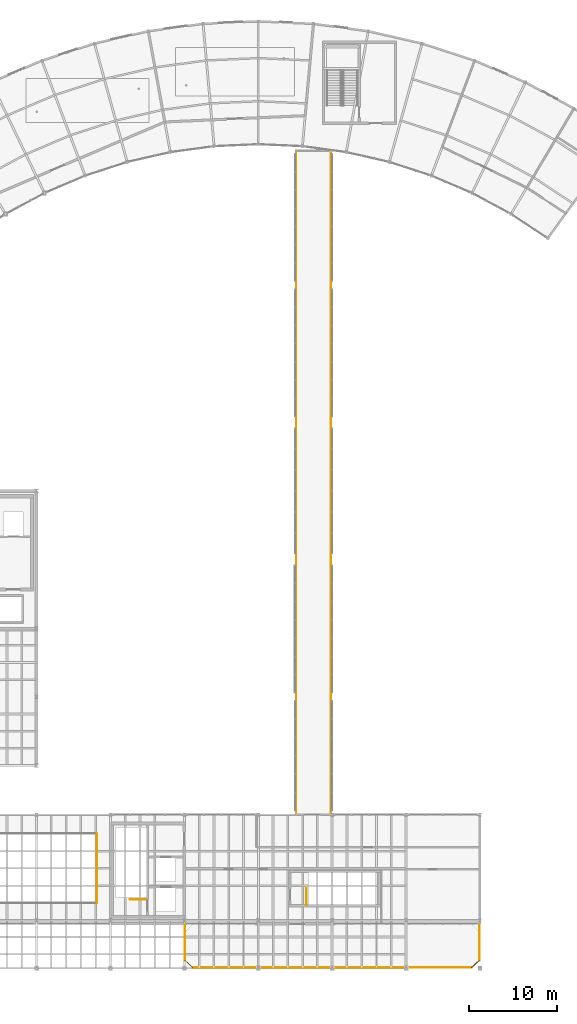
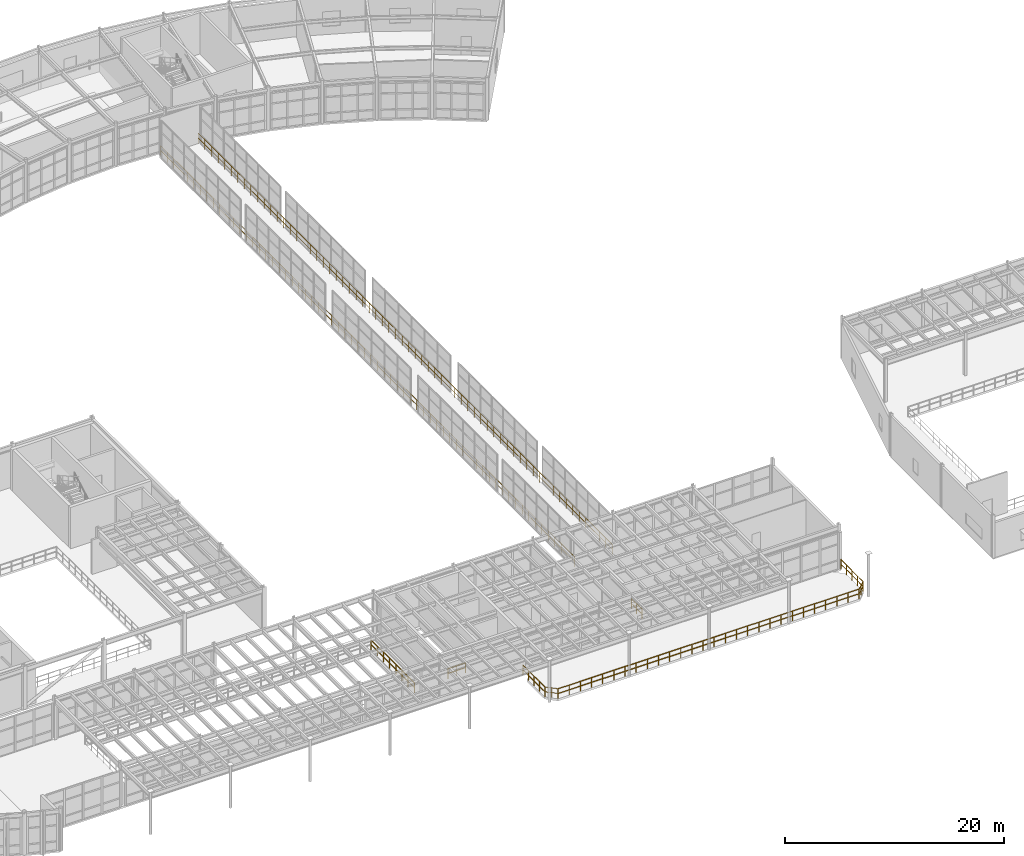
# One storey, part 102 of 105: 10 railings.
"""IFC4 building model written with IfcOpenShell, lengths in metres."""

from ifc_helpers import new_model, si_unit, direction, frame, origin, origin_2d, place, context, subcontext, project, spatial, circle, extrude, material, layer, layer_set, type_object, element, save


model = new_model("IFC4")

# Units and contexts
model_context = context("Model", 3, precision=1e-05, world=origin(), true_north=direction((0.0, 1.0)))
body_context = subcontext(model_context, "Body", "Model", "MODEL_VIEW")
ifc_project = project(units=[si_unit("LENGTHUNIT", "METRE"), si_unit("AREAUNIT", "SQUARE_METRE"), si_unit("VOLUMEUNIT", "CUBIC_METRE"), si_unit("PLANEANGLEUNIT", "RADIAN"), si_unit("MASSUNIT", "GRAM", prefix="KILO")], contexts=[model_context])

# Site, building, storey
site_placement = place(None, origin())
site = spatial("IfcSite", under=ifc_project, at=site_placement, CompositionType="ELEMENT")
building_placement = place(site_placement, origin())
building = spatial("IfcBuilding", under=site, at=building_placement, Name="Selat Folded Stagehouse", CompositionType="ELEMENT")
storey_placement = place(building_placement, frame((0.0, 0.0, 10.199951171875)))
storey = spatial("IfcBuildingStorey", under=building, at=storey_placement, Name="L02", CompositionType="ELEMENT", Elevation=10.199951171875)

# Railings
ifc_material_1 = material(Name="Bronze-anodised steel balustrade", Category="steel")
ifc_layer_1 = layer(ifc_material_1, 0.06494140625)
ifc_layer_set_1 = layer_set([ifc_layer_1], Name="Bronze-anodised steel balustrade")
railing_type_1 = type_object("IfcRailingType", Name="RLG-BAL-1120", PredefinedType="BALUSTRADE", material=ifc_layer_set_1)
railing_1_placement = place(storey_placement, frame((74.050048828125, 7.75, 0.0)))
element("IfcRailing", 1, at=railing_1_placement, inside=storey, type_object=railing_type_1, Name="L02 protective guard railing 039", PredefinedType="BALUSTRADE", context=body_context, shape_type="SweptSolid", body=[
    extrude(circle(Radius=0.02392578125, at=origin_2d()), frame((0.0, 0.0, 1.09619140625), z_axis=(0.0, 1.0, 0.0), x_axis=(-1.0, 0.0, 0.0)), (0.0, 0.0, 1.0), 7.89990234375),
    extrude(circle(Radius=0.02392578125, at=origin_2d()), frame((0.0, 0.0, 0.56005859375), z_axis=(0.0, 1.0, 0.0), x_axis=(-1.0, 0.0, 0.0)), (0.0, 0.0, 1.0), 7.89990234375),
    extrude(circle(Radius=0.02099609375, at=origin_2d()), origin(), (0.0, 0.0, 1.0), 1.072021484375),
    extrude(circle(Radius=0.02099609375, at=origin_2d()), frame((0.0, 1.128662109375, 0.0)), (0.0, 0.0, 1.0), 1.072021484375),
    extrude(circle(Radius=0.02099609375, at=origin_2d()), frame((0.0, 2.257080078125, 0.0)), (0.0, 0.0, 1.0), 1.072021484375),
    extrude(circle(Radius=0.02099609375, at=origin_2d()), frame((0.0, 3.3857421875, 0.0)), (0.0, 0.0, 1.0), 1.072021484375),
    extrude(circle(Radius=0.02099609375, at=origin_2d()), frame((0.0, 4.51416015625, 0.0)), (0.0, 0.0, 1.0), 1.072021484375),
    extrude(circle(Radius=0.02099609375, at=origin_2d()), frame((0.0, 5.642822265625, 0.0)), (0.0, 0.0, 1.0), 1.072021484375),
    extrude(circle(Radius=0.02099609375, at=origin_2d()), frame((0.0, 6.771240234375, 0.0)), (0.0, 0.0, 1.0), 1.072021484375),
    extrude(circle(Radius=0.02099609375, at=origin_2d()), frame((0.0, 7.89990234375, 0.0)), (0.0, 0.0, 1.0), 1.072021484375),
])
railing_2_placement = place(storey_placement, frame((96.719970703125, 17.800048828125, 0.0)))
element("IfcRailing", 2, at=railing_2_placement, inside=storey, type_object=railing_type_1, Name="L02 skybridge BR2 continuous internal guard W", PredefinedType="BALUSTRADE", context=body_context, shape_type="SweptSolid", body=[
    extrude(circle(Radius=0.02392578125, at=origin_2d()), frame((0.0, 0.0, 1.09619140625), z_axis=(0.0, 1.0, 0.0), x_axis=(-1.0, 0.0, 0.0)), (0.0, 0.0, 1.0), 75.4599609375),
    extrude(circle(Radius=0.02392578125, at=origin_2d()), frame((0.0, 0.0, 0.56005859375), z_axis=(0.0, 1.0, 0.0), x_axis=(-1.0, 0.0, 0.0)), (0.0, 0.0, 1.0), 75.4599609375),
    extrude(circle(Radius=0.02099609375, at=origin_2d()), origin(), (0.0, 0.0, 1.0), 1.072021484375),
    extrude(circle(Radius=0.02099609375, at=origin_2d()), frame((0.0, 1.19775390625, 0.0)), (0.0, 0.0, 1.0), 1.072021484375),
    extrude(circle(Radius=0.02099609375, at=origin_2d()), frame((0.0, 2.3955078125, 0.0)), (0.0, 0.0, 1.0), 1.072021484375),
    extrude(circle(Radius=0.02099609375, at=origin_2d()), frame((0.0, 3.59326171875, 0.0)), (0.0, 0.0, 1.0), 1.072021484375),
    extrude(circle(Radius=0.02099609375, at=origin_2d()), frame((0.0, 4.791015625, 0.0)), (0.0, 0.0, 1.0), 1.072021484375),
    extrude(circle(Radius=0.02099609375, at=origin_2d()), frame((0.0, 5.98876953125, 0.0)), (0.0, 0.0, 1.0), 1.072021484375),
    extrude(circle(Radius=0.02099609375, at=origin_2d()), frame((0.0, 7.186767578125, 0.0)), (0.0, 0.0, 1.0), 1.072021484375),
    extrude(circle(Radius=0.02099609375, at=origin_2d()), frame((0.0, 8.384521484375, 0.0)), (0.0, 0.0, 1.0), 1.072021484375),
    extrude(circle(Radius=0.02099609375, at=origin_2d()), frame((0.0, 9.582275390625, 0.0)), (0.0, 0.0, 1.0), 1.072021484375),
    extrude(circle(Radius=0.02099609375, at=origin_2d()), frame((0.0, 10.780029296875, 0.0)), (0.0, 0.0, 1.0), 1.072021484375),
    extrude(circle(Radius=0.02099609375, at=origin_2d()), frame((0.0, 11.977783203125, 0.0)), (0.0, 0.0, 1.0), 1.072021484375),
    extrude(circle(Radius=0.02099609375, at=origin_2d()), frame((0.0, 13.175537109375, 0.0)), (0.0, 0.0, 1.0), 1.072021484375),
    extrude(circle(Radius=0.02099609375, at=origin_2d()), frame((0.0, 14.373291015625, 0.0)), (0.0, 0.0, 1.0), 1.072021484375),
    extrude(circle(Radius=0.02099609375, at=origin_2d()), frame((0.0, 15.571044921875, 0.0)), (0.0, 0.0, 1.0), 1.072021484375),
    extrude(circle(Radius=0.02099609375, at=origin_2d()), frame((0.0, 16.768798828125, 0.0)), (0.0, 0.0, 1.0), 1.072021484375),
    extrude(circle(Radius=0.02099609375, at=origin_2d()), frame((0.0, 17.966552734375, 0.0)), (0.0, 0.0, 1.0), 1.072021484375),
    extrude(circle(Radius=0.02099609375, at=origin_2d()), frame((0.0, 19.16455078125, 0.0)), (0.0, 0.0, 1.0), 1.072021484375),
    extrude(circle(Radius=0.02099609375, at=origin_2d()), frame((0.0, 20.3623046875, 0.0)), (0.0, 0.0, 1.0), 1.072021484375),
    extrude(circle(Radius=0.02099609375, at=origin_2d()), frame((0.0, 21.56005859375, 0.0)), (0.0, 0.0, 1.0), 1.072021484375),
    extrude(circle(Radius=0.02099609375, at=origin_2d()), frame((0.0, 22.7578125, 0.0)), (0.0, 0.0, 1.0), 1.072021484375),
    extrude(circle(Radius=0.02099609375, at=origin_2d()), frame((0.0, 23.95556640625, 0.0)), (0.0, 0.0, 1.0), 1.072021484375),
    extrude(circle(Radius=0.02099609375, at=origin_2d()), frame((0.0, 25.1533203125, 0.0)), (0.0, 0.0, 1.0), 1.072021484375),
    extrude(circle(Radius=0.02099609375, at=origin_2d()), frame((0.0, 26.35107421875, 0.0)), (0.0, 0.0, 1.0), 1.072021484375),
    extrude(circle(Radius=0.02099609375, at=origin_2d()), frame((0.0, 27.548828125, 0.0)), (0.0, 0.0, 1.0), 1.072021484375),
    extrude(circle(Radius=0.02099609375, at=origin_2d()), frame((0.0, 28.74658203125, 0.0)), (0.0, 0.0, 1.0), 1.072021484375),
    extrude(circle(Radius=0.02099609375, at=origin_2d()), frame((0.0, 29.9443359375, 0.0)), (0.0, 0.0, 1.0), 1.072021484375),
    extrude(circle(Radius=0.02099609375, at=origin_2d()), frame((0.0, 31.14208984375, 0.0)), (0.0, 0.0, 1.0), 1.072021484375),
    extrude(circle(Radius=0.02099609375, at=origin_2d()), frame((0.0, 32.340087890625, 0.0)), (0.0, 0.0, 1.0), 1.072021484375),
    extrude(circle(Radius=0.02099609375, at=origin_2d()), frame((0.0, 33.537841796875, 0.0)), (0.0, 0.0, 1.0), 1.072021484375),
    extrude(circle(Radius=0.02099609375, at=origin_2d()), frame((0.0, 34.735595703125, 0.0)), (0.0, 0.0, 1.0), 1.072021484375),
    extrude(circle(Radius=0.02099609375, at=origin_2d()), frame((0.0, 35.933349609375, 0.0)), (0.0, 0.0, 1.0), 1.072021484375),
    extrude(circle(Radius=0.02099609375, at=origin_2d()), frame((0.0, 37.131103515625, 0.0)), (0.0, 0.0, 1.0), 1.072021484375),
    extrude(circle(Radius=0.02099609375, at=origin_2d()), frame((0.0, 38.328857421875, 0.0)), (0.0, 0.0, 1.0), 1.072021484375),
    extrude(circle(Radius=0.02099609375, at=origin_2d()), frame((0.0, 39.526611328125, 0.0)), (0.0, 0.0, 1.0), 1.072021484375),
    extrude(circle(Radius=0.02099609375, at=origin_2d()), frame((0.0, 40.724365234375, 0.0)), (0.0, 0.0, 1.0), 1.072021484375),
    extrude(circle(Radius=0.02099609375, at=origin_2d()), frame((0.0, 41.922119140625, 0.0)), (0.0, 0.0, 1.0), 1.072021484375),
    extrude(circle(Radius=0.02099609375, at=origin_2d()), frame((0.0, 43.119873046875, 0.0)), (0.0, 0.0, 1.0), 1.072021484375),
    extrude(circle(Radius=0.02099609375, at=origin_2d()), frame((0.0, 44.31787109375, 0.0)), (0.0, 0.0, 1.0), 1.072021484375),
    extrude(circle(Radius=0.02099609375, at=origin_2d()), frame((0.0, 45.515625, 0.0)), (0.0, 0.0, 1.0), 1.072021484375),
    extrude(circle(Radius=0.02099609375, at=origin_2d()), frame((0.0, 46.71337890625, 0.0)), (0.0, 0.0, 1.0), 1.072021484375),
    extrude(circle(Radius=0.02099609375, at=origin_2d()), frame((0.0, 47.9111328125, 0.0)), (0.0, 0.0, 1.0), 1.072021484375),
    extrude(circle(Radius=0.02099609375, at=origin_2d()), frame((0.0, 49.10888671875, 0.0)), (0.0, 0.0, 1.0), 1.072021484375),
    extrude(circle(Radius=0.02099609375, at=origin_2d()), frame((0.0, 50.306640625, 0.0)), (0.0, 0.0, 1.0), 1.072021484375),
    extrude(circle(Radius=0.02099609375, at=origin_2d()), frame((0.0, 51.50439453125, 0.0)), (0.0, 0.0, 1.0), 1.072021484375),
    extrude(circle(Radius=0.02099609375, at=origin_2d()), frame((0.0, 52.7021484375, 0.0)), (0.0, 0.0, 1.0), 1.072021484375),
    extrude(circle(Radius=0.02099609375, at=origin_2d()), frame((0.0, 53.89990234375, 0.0)), (0.0, 0.0, 1.0), 1.072021484375),
    extrude(circle(Radius=0.02099609375, at=origin_2d()), frame((0.0, 55.09765625, 0.0)), (0.0, 0.0, 1.0), 1.072021484375),
    extrude(circle(Radius=0.02099609375, at=origin_2d()), frame((0.0, 56.29541015625, 0.0)), (0.0, 0.0, 1.0), 1.072021484375),
    extrude(circle(Radius=0.02099609375, at=origin_2d()), frame((0.0, 57.493408203125, 0.0)), (0.0, 0.0, 1.0), 1.072021484375),
    extrude(circle(Radius=0.02099609375, at=origin_2d()), frame((0.0, 58.691162109375, 0.0)), (0.0, 0.0, 1.0), 1.072021484375),
    extrude(circle(Radius=0.02099609375, at=origin_2d()), frame((0.0, 59.888916015625, 0.0)), (0.0, 0.0, 1.0), 1.072021484375),
    extrude(circle(Radius=0.02099609375, at=origin_2d()), frame((0.0, 61.086669921875, 0.0)), (0.0, 0.0, 1.0), 1.072021484375),
    extrude(circle(Radius=0.02099609375, at=origin_2d()), frame((0.0, 62.284423828125, 0.0)), (0.0, 0.0, 1.0), 1.072021484375),
    extrude(circle(Radius=0.02099609375, at=origin_2d()), frame((0.0, 63.482177734375, 0.0)), (0.0, 0.0, 1.0), 1.072021484375),
    extrude(circle(Radius=0.02099609375, at=origin_2d()), frame((0.0, 64.679931640625, 0.0)), (0.0, 0.0, 1.0), 1.072021484375),
    extrude(circle(Radius=0.02099609375, at=origin_2d()), frame((0.0, 65.877685546875, 0.0)), (0.0, 0.0, 1.0), 1.072021484375),
    extrude(circle(Radius=0.02099609375, at=origin_2d()), frame((0.0, 67.075439453125, 0.0)), (0.0, 0.0, 1.0), 1.072021484375),
    extrude(circle(Radius=0.02099609375, at=origin_2d()), frame((0.0, 68.273193359375, 0.0)), (0.0, 0.0, 1.0), 1.072021484375),
    extrude(circle(Radius=0.02099609375, at=origin_2d()), frame((0.0, 69.47119140625, 0.0)), (0.0, 0.0, 1.0), 1.072021484375),
    extrude(circle(Radius=0.02099609375, at=origin_2d()), frame((0.0, 70.6689453125, 0.0)), (0.0, 0.0, 1.0), 1.072021484375),
    extrude(circle(Radius=0.02099609375, at=origin_2d()), frame((0.0, 71.86669921875, 0.0)), (0.0, 0.0, 1.0), 1.072021484375),
    extrude(circle(Radius=0.02099609375, at=origin_2d()), frame((0.0, 73.064453125, 0.0)), (0.0, 0.0, 1.0), 1.072021484375),
    extrude(circle(Radius=0.02099609375, at=origin_2d()), frame((0.0, 74.26220703125, 0.0)), (0.0, 0.0, 1.0), 1.072021484375),
    extrude(circle(Radius=0.02099609375, at=origin_2d()), frame((0.0, 75.4599609375, 0.0)), (0.0, 0.0, 1.0), 1.072021484375),
])
railing_3_placement = place(storey_placement, frame((100.679931640625, 17.800048828125, 0.0)))
element("IfcRailing", 3, at=railing_3_placement, inside=storey, type_object=railing_type_1, Name="L02 skybridge BR2 continuous internal guard E", PredefinedType="BALUSTRADE", context=body_context, shape_type="SweptSolid", body=[
    extrude(circle(Radius=0.02392578125, at=origin_2d()), frame((0.0, 0.0, 1.09619140625), z_axis=(0.0, 1.0, 0.0), x_axis=(-1.0, 0.0, 0.0)), (0.0, 0.0, 1.0), 75.4599609375),
    extrude(circle(Radius=0.02392578125, at=origin_2d()), frame((0.0, 0.0, 0.56005859375), z_axis=(0.0, 1.0, 0.0), x_axis=(-1.0, 0.0, 0.0)), (0.0, 0.0, 1.0), 75.4599609375),
    extrude(circle(Radius=0.02099609375, at=origin_2d()), origin(), (0.0, 0.0, 1.0), 1.072021484375),
    extrude(circle(Radius=0.02099609375, at=origin_2d()), frame((0.0, 1.19775390625, 0.0)), (0.0, 0.0, 1.0), 1.072021484375),
    extrude(circle(Radius=0.02099609375, at=origin_2d()), frame((0.0, 2.3955078125, 0.0)), (0.0, 0.0, 1.0), 1.072021484375),
    extrude(circle(Radius=0.02099609375, at=origin_2d()), frame((0.0, 3.59326171875, 0.0)), (0.0, 0.0, 1.0), 1.072021484375),
    extrude(circle(Radius=0.02099609375, at=origin_2d()), frame((0.0, 4.791015625, 0.0)), (0.0, 0.0, 1.0), 1.072021484375),
    extrude(circle(Radius=0.02099609375, at=origin_2d()), frame((0.0, 5.98876953125, 0.0)), (0.0, 0.0, 1.0), 1.072021484375),
    extrude(circle(Radius=0.02099609375, at=origin_2d()), frame((0.0, 7.186767578125, 0.0)), (0.0, 0.0, 1.0), 1.072021484375),
    extrude(circle(Radius=0.02099609375, at=origin_2d()), frame((0.0, 8.384521484375, 0.0)), (0.0, 0.0, 1.0), 1.072021484375),
    extrude(circle(Radius=0.02099609375, at=origin_2d()), frame((0.0, 9.582275390625, 0.0)), (0.0, 0.0, 1.0), 1.072021484375),
    extrude(circle(Radius=0.02099609375, at=origin_2d()), frame((0.0, 10.780029296875, 0.0)), (0.0, 0.0, 1.0), 1.072021484375),
    extrude(circle(Radius=0.02099609375, at=origin_2d()), frame((0.0, 11.977783203125, 0.0)), (0.0, 0.0, 1.0), 1.072021484375),
    extrude(circle(Radius=0.02099609375, at=origin_2d()), frame((0.0, 13.175537109375, 0.0)), (0.0, 0.0, 1.0), 1.072021484375),
    extrude(circle(Radius=0.02099609375, at=origin_2d()), frame((0.0, 14.373291015625, 0.0)), (0.0, 0.0, 1.0), 1.072021484375),
    extrude(circle(Radius=0.02099609375, at=origin_2d()), frame((0.0, 15.571044921875, 0.0)), (0.0, 0.0, 1.0), 1.072021484375),
    extrude(circle(Radius=0.02099609375, at=origin_2d()), frame((0.0, 16.768798828125, 0.0)), (0.0, 0.0, 1.0), 1.072021484375),
    extrude(circle(Radius=0.02099609375, at=origin_2d()), frame((0.0, 17.966552734375, 0.0)), (0.0, 0.0, 1.0), 1.072021484375),
    extrude(circle(Radius=0.02099609375, at=origin_2d()), frame((0.0, 19.16455078125, 0.0)), (0.0, 0.0, 1.0), 1.072021484375),
    extrude(circle(Radius=0.02099609375, at=origin_2d()), frame((0.0, 20.3623046875, 0.0)), (0.0, 0.0, 1.0), 1.072021484375),
    extrude(circle(Radius=0.02099609375, at=origin_2d()), frame((0.0, 21.56005859375, 0.0)), (0.0, 0.0, 1.0), 1.072021484375),
    extrude(circle(Radius=0.02099609375, at=origin_2d()), frame((0.0, 22.7578125, 0.0)), (0.0, 0.0, 1.0), 1.072021484375),
    extrude(circle(Radius=0.02099609375, at=origin_2d()), frame((0.0, 23.95556640625, 0.0)), (0.0, 0.0, 1.0), 1.072021484375),
    extrude(circle(Radius=0.02099609375, at=origin_2d()), frame((0.0, 25.1533203125, 0.0)), (0.0, 0.0, 1.0), 1.072021484375),
    extrude(circle(Radius=0.02099609375, at=origin_2d()), frame((0.0, 26.35107421875, 0.0)), (0.0, 0.0, 1.0), 1.072021484375),
    extrude(circle(Radius=0.02099609375, at=origin_2d()), frame((0.0, 27.548828125, 0.0)), (0.0, 0.0, 1.0), 1.072021484375),
    extrude(circle(Radius=0.02099609375, at=origin_2d()), frame((0.0, 28.74658203125, 0.0)), (0.0, 0.0, 1.0), 1.072021484375),
    extrude(circle(Radius=0.02099609375, at=origin_2d()), frame((0.0, 29.9443359375, 0.0)), (0.0, 0.0, 1.0), 1.072021484375),
    extrude(circle(Radius=0.02099609375, at=origin_2d()), frame((0.0, 31.14208984375, 0.0)), (0.0, 0.0, 1.0), 1.072021484375),
    extrude(circle(Radius=0.02099609375, at=origin_2d()), frame((0.0, 32.340087890625, 0.0)), (0.0, 0.0, 1.0), 1.072021484375),
    extrude(circle(Radius=0.02099609375, at=origin_2d()), frame((0.0, 33.537841796875, 0.0)), (0.0, 0.0, 1.0), 1.072021484375),
    extrude(circle(Radius=0.02099609375, at=origin_2d()), frame((0.0, 34.735595703125, 0.0)), (0.0, 0.0, 1.0), 1.072021484375),
    extrude(circle(Radius=0.02099609375, at=origin_2d()), frame((0.0, 35.933349609375, 0.0)), (0.0, 0.0, 1.0), 1.072021484375),
    extrude(circle(Radius=0.02099609375, at=origin_2d()), frame((0.0, 37.131103515625, 0.0)), (0.0, 0.0, 1.0), 1.072021484375),
    extrude(circle(Radius=0.02099609375, at=origin_2d()), frame((0.0, 38.328857421875, 0.0)), (0.0, 0.0, 1.0), 1.072021484375),
    extrude(circle(Radius=0.02099609375, at=origin_2d()), frame((0.0, 39.526611328125, 0.0)), (0.0, 0.0, 1.0), 1.072021484375),
    extrude(circle(Radius=0.02099609375, at=origin_2d()), frame((0.0, 40.724365234375, 0.0)), (0.0, 0.0, 1.0), 1.072021484375),
    extrude(circle(Radius=0.02099609375, at=origin_2d()), frame((0.0, 41.922119140625, 0.0)), (0.0, 0.0, 1.0), 1.072021484375),
    extrude(circle(Radius=0.02099609375, at=origin_2d()), frame((0.0, 43.119873046875, 0.0)), (0.0, 0.0, 1.0), 1.072021484375),
    extrude(circle(Radius=0.02099609375, at=origin_2d()), frame((0.0, 44.31787109375, 0.0)), (0.0, 0.0, 1.0), 1.072021484375),
    extrude(circle(Radius=0.02099609375, at=origin_2d()), frame((0.0, 45.515625, 0.0)), (0.0, 0.0, 1.0), 1.072021484375),
    extrude(circle(Radius=0.02099609375, at=origin_2d()), frame((0.0, 46.71337890625, 0.0)), (0.0, 0.0, 1.0), 1.072021484375),
    extrude(circle(Radius=0.02099609375, at=origin_2d()), frame((0.0, 47.9111328125, 0.0)), (0.0, 0.0, 1.0), 1.072021484375),
    extrude(circle(Radius=0.02099609375, at=origin_2d()), frame((0.0, 49.10888671875, 0.0)), (0.0, 0.0, 1.0), 1.072021484375),
    extrude(circle(Radius=0.02099609375, at=origin_2d()), frame((0.0, 50.306640625, 0.0)), (0.0, 0.0, 1.0), 1.072021484375),
    extrude(circle(Radius=0.02099609375, at=origin_2d()), frame((0.0, 51.50439453125, 0.0)), (0.0, 0.0, 1.0), 1.072021484375),
    extrude(circle(Radius=0.02099609375, at=origin_2d()), frame((0.0, 52.7021484375, 0.0)), (0.0, 0.0, 1.0), 1.072021484375),
    extrude(circle(Radius=0.02099609375, at=origin_2d()), frame((0.0, 53.89990234375, 0.0)), (0.0, 0.0, 1.0), 1.072021484375),
    extrude(circle(Radius=0.02099609375, at=origin_2d()), frame((0.0, 55.09765625, 0.0)), (0.0, 0.0, 1.0), 1.072021484375),
    extrude(circle(Radius=0.02099609375, at=origin_2d()), frame((0.0, 56.29541015625, 0.0)), (0.0, 0.0, 1.0), 1.072021484375),
    extrude(circle(Radius=0.02099609375, at=origin_2d()), frame((0.0, 57.493408203125, 0.0)), (0.0, 0.0, 1.0), 1.072021484375),
    extrude(circle(Radius=0.02099609375, at=origin_2d()), frame((0.0, 58.691162109375, 0.0)), (0.0, 0.0, 1.0), 1.072021484375),
    extrude(circle(Radius=0.02099609375, at=origin_2d()), frame((0.0, 59.888916015625, 0.0)), (0.0, 0.0, 1.0), 1.072021484375),
    extrude(circle(Radius=0.02099609375, at=origin_2d()), frame((0.0, 61.086669921875, 0.0)), (0.0, 0.0, 1.0), 1.072021484375),
    extrude(circle(Radius=0.02099609375, at=origin_2d()), frame((0.0, 62.284423828125, 0.0)), (0.0, 0.0, 1.0), 1.072021484375),
    extrude(circle(Radius=0.02099609375, at=origin_2d()), frame((0.0, 63.482177734375, 0.0)), (0.0, 0.0, 1.0), 1.072021484375),
    extrude(circle(Radius=0.02099609375, at=origin_2d()), frame((0.0, 64.679931640625, 0.0)), (0.0, 0.0, 1.0), 1.072021484375),
    extrude(circle(Radius=0.02099609375, at=origin_2d()), frame((0.0, 65.877685546875, 0.0)), (0.0, 0.0, 1.0), 1.072021484375),
    extrude(circle(Radius=0.02099609375, at=origin_2d()), frame((0.0, 67.075439453125, 0.0)), (0.0, 0.0, 1.0), 1.072021484375),
    extrude(circle(Radius=0.02099609375, at=origin_2d()), frame((0.0, 68.273193359375, 0.0)), (0.0, 0.0, 1.0), 1.072021484375),
    extrude(circle(Radius=0.02099609375, at=origin_2d()), frame((0.0, 69.47119140625, 0.0)), (0.0, 0.0, 1.0), 1.072021484375),
    extrude(circle(Radius=0.02099609375, at=origin_2d()), frame((0.0, 70.6689453125, 0.0)), (0.0, 0.0, 1.0), 1.072021484375),
    extrude(circle(Radius=0.02099609375, at=origin_2d()), frame((0.0, 71.86669921875, 0.0)), (0.0, 0.0, 1.0), 1.072021484375),
    extrude(circle(Radius=0.02099609375, at=origin_2d()), frame((0.0, 73.064453125, 0.0)), (0.0, 0.0, 1.0), 1.072021484375),
    extrude(circle(Radius=0.02099609375, at=origin_2d()), frame((0.0, 74.26220703125, 0.0)), (0.0, 0.0, 1.0), 1.072021484375),
    extrude(circle(Radius=0.02099609375, at=origin_2d()), frame((0.0, 75.4599609375, 0.0)), (0.0, 0.0, 1.0), 1.072021484375),
])
railing_4_placement = place(storey_placement, frame((79.679931640625, 8.179931640625, 0.0)))
element("IfcRailing", 4, at=railing_4_placement, inside=storey, type_object=railing_type_1, Name="L02 ST-03 top well guard 1", PredefinedType="BALUSTRADE", context=body_context, shape_type="SweptSolid", body=[
    extrude(circle(Radius=0.02392578125, at=origin_2d()), frame((0.0, 0.0, 1.09619140625), z_axis=(-1.0, 0.0, 0.0), x_axis=(0.0, -1.0, 0.0)), (0.0, 0.0, 1.0), 1.83984375),
    extrude(circle(Radius=0.02392578125, at=origin_2d()), frame((0.0, 0.0, 0.56005859375), z_axis=(-1.0, 0.0, 0.0), x_axis=(0.0, -1.0, 0.0)), (0.0, 0.0, 1.0), 1.83984375),
    extrude(circle(Radius=0.02099609375, at=origin_2d()), origin(), (0.0, 0.0, 1.0), 1.072021484375),
    extrude(circle(Radius=0.02099609375, at=origin_2d()), frame((-0.919921875, 0.0, 0.0)), (0.0, 0.0, 1.0), 1.072021484375),
    extrude(circle(Radius=0.02099609375, at=origin_2d()), frame((-1.83984375, 0.0, 0.0)), (0.0, 0.0, 1.0), 1.072021484375),
])
railing_5_placement = place(storey_placement, frame((97.889892578125, 7.56005859375, 0.0)))
element("IfcRailing", 5, at=railing_5_placement, inside=storey, type_object=railing_type_1, Name="L02 ST-08 top well guard 1", PredefinedType="BALUSTRADE", context=body_context, shape_type="SweptSolid", body=[
    extrude(circle(Radius=0.02392578125, at=origin_2d()), frame((0.0, 0.0, 1.09619140625), z_axis=(0.0, 1.0, 0.0), x_axis=(-1.0, 0.0, 0.0)), (0.0, 0.0, 1.0), 1.919921875),
    extrude(circle(Radius=0.02392578125, at=origin_2d()), frame((0.0, 0.0, 0.56005859375), z_axis=(0.0, 1.0, 0.0), x_axis=(-1.0, 0.0, 0.0)), (0.0, 0.0, 1.0), 1.919921875),
    extrude(circle(Radius=0.02099609375, at=origin_2d()), origin(), (0.0, 0.0, 1.0), 1.072021484375),
    extrude(circle(Radius=0.02099609375, at=origin_2d()), frame((0.0, 0.9599609375, 0.0)), (0.0, 0.0, 1.0), 1.072021484375),
    extrude(circle(Radius=0.02099609375, at=origin_2d()), frame((0.0, 1.919921875, 0.0)), (0.0, 0.0, 1.0), 1.072021484375),
])
ifc_material_2 = material(Name="Stainless steel and laminated glass", Category="steel")
ifc_layer_2 = layer(ifc_material_2, 0.06005859375)
ifc_layer_set_2 = layer_set([ifc_layer_2], Name="Stainless steel and laminated glass")
railing_type_2 = type_object("IfcRailingType", Name="RLG-GUARD-1100", PredefinedType="GUARDRAIL", material=ifc_layer_set_2)
railing_6_placement = place(storey_placement, frame((84.050048828125, 5.300048828125, 0.0)))
element("IfcRailing", 6, at=railing_6_placement, inside=storey, type_object=railing_type_2, Name="L02 protective guard railing 006", PredefinedType="GUARDRAIL", context=body_context, shape_type="SweptSolid", body=[
    extrude(circle(Radius=0.02392578125, at=origin_2d()), frame((0.0, 0.0, 1.076171875), z_axis=(0.0, -1.0, 0.0), x_axis=(1.0, 0.0, 0.0)), (0.0, 0.0, 1.0), 4.050048828125),
    extrude(circle(Radius=0.02392578125, at=origin_2d()), frame((0.0, 0.0, 0.550048828125), z_axis=(0.0, -1.0, 0.0), x_axis=(1.0, 0.0, 0.0)), (0.0, 0.0, 1.0), 4.050048828125),
    extrude(circle(Radius=0.02099609375, at=origin_2d()), origin(), (0.0, 0.0, 1.0), 1.052001953125),
    extrude(circle(Radius=0.02099609375, at=origin_2d()), frame((0.0, -1.012451171875, 0.0)), (0.0, 0.0, 1.0), 1.052001953125),
    extrude(circle(Radius=0.02099609375, at=origin_2d()), frame((0.0, -2.02490234375, 0.0)), (0.0, 0.0, 1.0), 1.052001953125),
    extrude(circle(Radius=0.02099609375, at=origin_2d()), frame((0.0, -3.03759765625, 0.0)), (0.0, 0.0, 1.0), 1.052001953125),
    extrude(circle(Radius=0.02099609375, at=origin_2d()), frame((0.0, -4.050048828125, 0.0)), (0.0, 0.0, 1.0), 1.052001953125),
])
railing_7_placement = place(storey_placement, frame((84.050048828125, 1.25, 0.0)))
element("IfcRailing", 7, at=railing_7_placement, inside=storey, type_object=railing_type_2, Name="L02 protective guard railing 007", PredefinedType="GUARDRAIL", context=body_context, shape_type="SweptSolid", body=[
    extrude(circle(Radius=0.02392578125, at=origin_2d()), frame((0.0, 0.0, 1.076171875), z_axis=(0.735048047992, -0.678015019851, 0.0), x_axis=(0.678015019851, 0.735048047992, 0.0)), (0.0, 0.0, 1.0), 1.224365234375),
    extrude(circle(Radius=0.02392578125, at=origin_2d()), frame((0.0, 0.0, 0.550048828125), z_axis=(0.735048047992, -0.678015019851, 0.0), x_axis=(0.678015019851, 0.735048047992, 0.0)), (0.0, 0.0, 1.0), 1.224365234375),
    extrude(circle(Radius=0.02099609375, at=origin_2d()), origin(), (0.0, 0.0, 1.0), 1.052001953125),
    extrude(circle(Radius=0.02099609375, at=origin_2d()), frame((0.449951171875, -0.4150390625, 0.0)), (0.0, 0.0, 1.0), 1.052001953125),
    extrude(circle(Radius=0.02099609375, at=origin_2d()), frame((0.89990234375, -0.830078125, 0.0)), (0.0, 0.0, 1.0), 1.052001953125),
])
railing_8_placement = place(storey_placement, frame((84.949951171875, 0.419921875, 0.0)))
element("IfcRailing", 8, at=railing_8_placement, inside=storey, type_object=railing_type_2, Name="L02 protective guard railing 008", PredefinedType="GUARDRAIL", context=body_context, shape_type="SweptSolid", body=[
    extrude(circle(Radius=0.02392578125, at=origin_2d()), frame((0.0, 0.0, 1.076171875), z_axis=(1.0, 0.0, 0.0), x_axis=(0.0, 1.0, 0.0)), (0.0, 0.0, 1.0), 31.699951171875),
    extrude(circle(Radius=0.02392578125, at=origin_2d()), frame((0.0, 0.0, 0.550048828125), z_axis=(1.0, 0.0, 0.0), x_axis=(0.0, 1.0, 0.0)), (0.0, 0.0, 1.0), 31.699951171875),
    extrude(circle(Radius=0.02099609375, at=origin_2d()), origin(), (0.0, 0.0, 1.0), 1.052001953125),
    extrude(circle(Radius=0.02099609375, at=origin_2d()), frame((1.174072265625, 0.0, 0.0)), (0.0, 0.0, 1.0), 1.052001953125),
    extrude(circle(Radius=0.02099609375, at=origin_2d()), frame((2.34814453125, 0.0, 0.0)), (0.0, 0.0, 1.0), 1.052001953125),
    extrude(circle(Radius=0.02099609375, at=origin_2d()), frame((3.522216796875, 0.0, 0.0)), (0.0, 0.0, 1.0), 1.052001953125),
    extrude(circle(Radius=0.02099609375, at=origin_2d()), frame((4.6962890625, 0.0, 0.0)), (0.0, 0.0, 1.0), 1.052001953125),
    extrude(circle(Radius=0.02099609375, at=origin_2d()), frame((5.870361328125, 0.0, 0.0)), (0.0, 0.0, 1.0), 1.052001953125),
    extrude(circle(Radius=0.02099609375, at=origin_2d()), frame((7.04443359375, 0.0, 0.0)), (0.0, 0.0, 1.0), 1.052001953125),
    extrude(circle(Radius=0.02099609375, at=origin_2d()), frame((8.218505859375, 0.0, 0.0)), (0.0, 0.0, 1.0), 1.052001953125),
    extrude(circle(Radius=0.02099609375, at=origin_2d()), frame((9.392578125, 0.0, 0.0)), (0.0, 0.0, 1.0), 1.052001953125),
    extrude(circle(Radius=0.02099609375, at=origin_2d()), frame((10.566650390625, 0.0, 0.0)), (0.0, 0.0, 1.0), 1.052001953125),
    extrude(circle(Radius=0.02099609375, at=origin_2d()), frame((11.74072265625, 0.0, 0.0)), (0.0, 0.0, 1.0), 1.052001953125),
    extrude(circle(Radius=0.02099609375, at=origin_2d()), frame((12.914794921875, 0.0, 0.0)), (0.0, 0.0, 1.0), 1.052001953125),
    extrude(circle(Radius=0.02099609375, at=origin_2d()), frame((14.0888671875, 0.0, 0.0)), (0.0, 0.0, 1.0), 1.052001953125),
    extrude(circle(Radius=0.02099609375, at=origin_2d()), frame((15.262939453125, 0.0, 0.0)), (0.0, 0.0, 1.0), 1.052001953125),
    extrude(circle(Radius=0.02099609375, at=origin_2d()), frame((16.43701171875, 0.0, 0.0)), (0.0, 0.0, 1.0), 1.052001953125),
    extrude(circle(Radius=0.02099609375, at=origin_2d()), frame((17.611083984375, 0.0, 0.0)), (0.0, 0.0, 1.0), 1.052001953125),
    extrude(circle(Radius=0.02099609375, at=origin_2d()), frame((18.78515625, 0.0, 0.0)), (0.0, 0.0, 1.0), 1.052001953125),
    extrude(circle(Radius=0.02099609375, at=origin_2d()), frame((19.959228515625, 0.0, 0.0)), (0.0, 0.0, 1.0), 1.052001953125),
    extrude(circle(Radius=0.02099609375, at=origin_2d()), frame((21.13330078125, 0.0, 0.0)), (0.0, 0.0, 1.0), 1.052001953125),
    extrude(circle(Radius=0.02099609375, at=origin_2d()), frame((22.307373046875, 0.0, 0.0)), (0.0, 0.0, 1.0), 1.052001953125),
    extrude(circle(Radius=0.02099609375, at=origin_2d()), frame((23.4814453125, 0.0, 0.0)), (0.0, 0.0, 1.0), 1.052001953125),
    extrude(circle(Radius=0.02099609375, at=origin_2d()), frame((24.655517578125, 0.0, 0.0)), (0.0, 0.0, 1.0), 1.052001953125),
    extrude(circle(Radius=0.02099609375, at=origin_2d()), frame((25.82958984375, 0.0, 0.0)), (0.0, 0.0, 1.0), 1.052001953125),
    extrude(circle(Radius=0.02099609375, at=origin_2d()), frame((27.003662109375, 0.0, 0.0)), (0.0, 0.0, 1.0), 1.052001953125),
    extrude(circle(Radius=0.02099609375, at=origin_2d()), frame((28.177734375, 0.0, 0.0)), (0.0, 0.0, 1.0), 1.052001953125),
    extrude(circle(Radius=0.02099609375, at=origin_2d()), frame((29.351806640625, 0.0, 0.0)), (0.0, 0.0, 1.0), 1.052001953125),
    extrude(circle(Radius=0.02099609375, at=origin_2d()), frame((30.52587890625, 0.0, 0.0)), (0.0, 0.0, 1.0), 1.052001953125),
    extrude(circle(Radius=0.02099609375, at=origin_2d()), frame((31.699951171875, 0.0, 0.0)), (0.0, 0.0, 1.0), 1.052001953125),
])
railing_9_placement = place(storey_placement, frame((116.64990234375, 0.419921875, 0.0)))
element("IfcRailing", 9, at=railing_9_placement, inside=storey, type_object=railing_type_2, Name="L02 protective guard railing 009", PredefinedType="GUARDRAIL", context=body_context, shape_type="SweptSolid", body=[
    extrude(circle(Radius=0.02392578125, at=origin_2d()), frame((0.0, 0.0, 1.076171875), z_axis=(0.735139700328, 0.677915644458, 0.0), x_axis=(-0.677915644458, 0.735139700328, 0.0)), (0.0, 0.0, 1.0), 1.224365234375),
    extrude(circle(Radius=0.02392578125, at=origin_2d()), frame((0.0, 0.0, 0.550048828125), z_axis=(0.735139700328, 0.677915644458, 0.0), x_axis=(-0.677915644458, 0.735139700328, 0.0)), (0.0, 0.0, 1.0), 1.224365234375),
    extrude(circle(Radius=0.02099609375, at=origin_2d()), origin(), (0.0, 0.0, 1.0), 1.052001953125),
    extrude(circle(Radius=0.02099609375, at=origin_2d()), frame((0.4501953125, 0.4150390625, 0.0)), (0.0, 0.0, 1.0), 1.052001953125),
    extrude(circle(Radius=0.02099609375, at=origin_2d()), frame((0.900146484375, 0.830078125, 0.0)), (0.0, 0.0, 1.0), 1.052001953125),
])
railing_10_placement = place(storey_placement, frame((117.550048828125, 1.25, 0.0)))
element("IfcRailing", 10, at=railing_10_placement, inside=storey, type_object=railing_type_2, Name="L02 protective guard railing 010", PredefinedType="GUARDRAIL", context=body_context, shape_type="SweptSolid", body=[
    extrude(circle(Radius=0.02392578125, at=origin_2d()), frame((0.0, 0.0, 1.076171875), z_axis=(0.0, 1.0, 0.0), x_axis=(-1.0, 0.0, 0.0)), (0.0, 0.0, 1.0), 4.050048828125),
    extrude(circle(Radius=0.02392578125, at=origin_2d()), frame((0.0, 0.0, 0.550048828125), z_axis=(0.0, 1.0, 0.0), x_axis=(-1.0, 0.0, 0.0)), (0.0, 0.0, 1.0), 4.050048828125),
    extrude(circle(Radius=0.02099609375, at=origin_2d()), origin(), (0.0, 0.0, 1.0), 1.052001953125),
    extrude(circle(Radius=0.02099609375, at=origin_2d()), frame((0.0, 1.012451171875, 0.0)), (0.0, 0.0, 1.0), 1.052001953125),
    extrude(circle(Radius=0.02099609375, at=origin_2d()), frame((0.0, 2.02490234375, 0.0)), (0.0, 0.0, 1.0), 1.052001953125),
    extrude(circle(Radius=0.02099609375, at=origin_2d()), frame((0.0, 3.03759765625, 0.0)), (0.0, 0.0, 1.0), 1.052001953125),
    extrude(circle(Radius=0.02099609375, at=origin_2d()), frame((0.0, 4.050048828125, 0.0)), (0.0, 0.0, 1.0), 1.052001953125),
])

save(model, "model.ifc")
